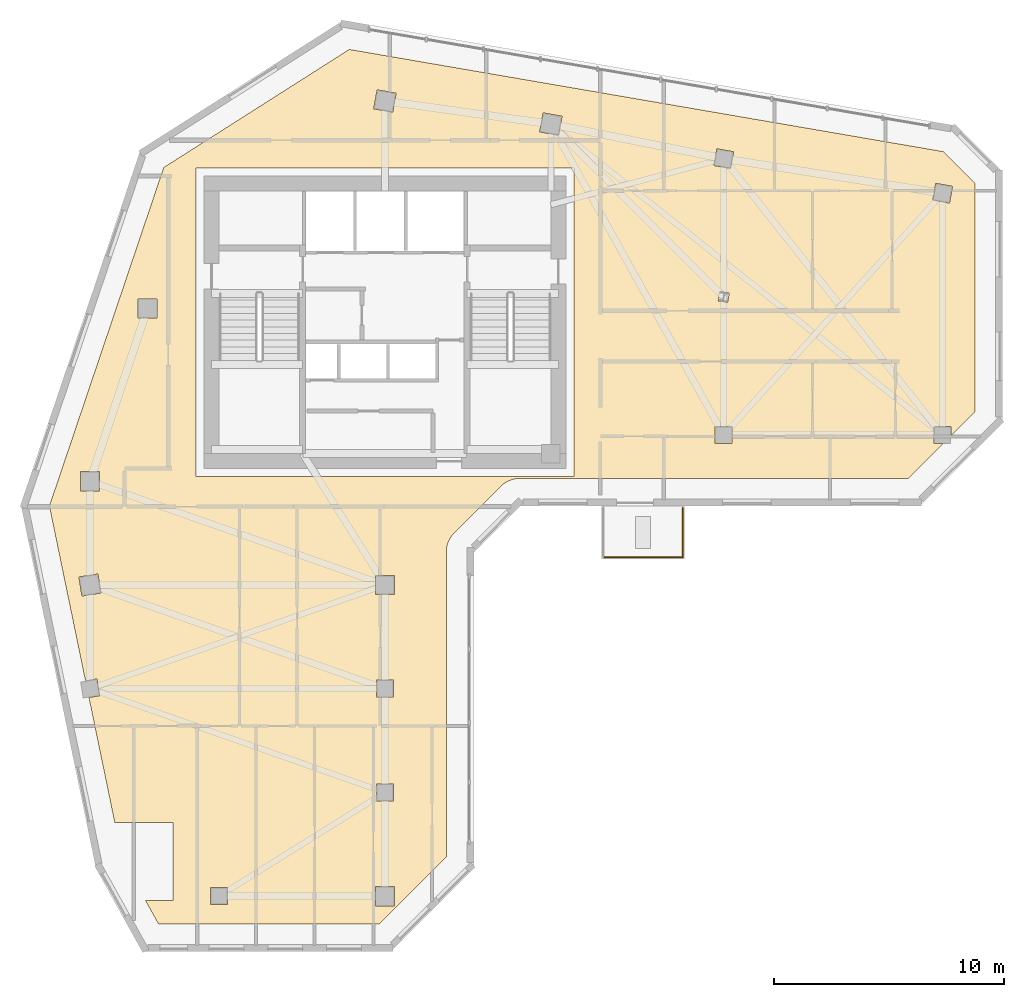
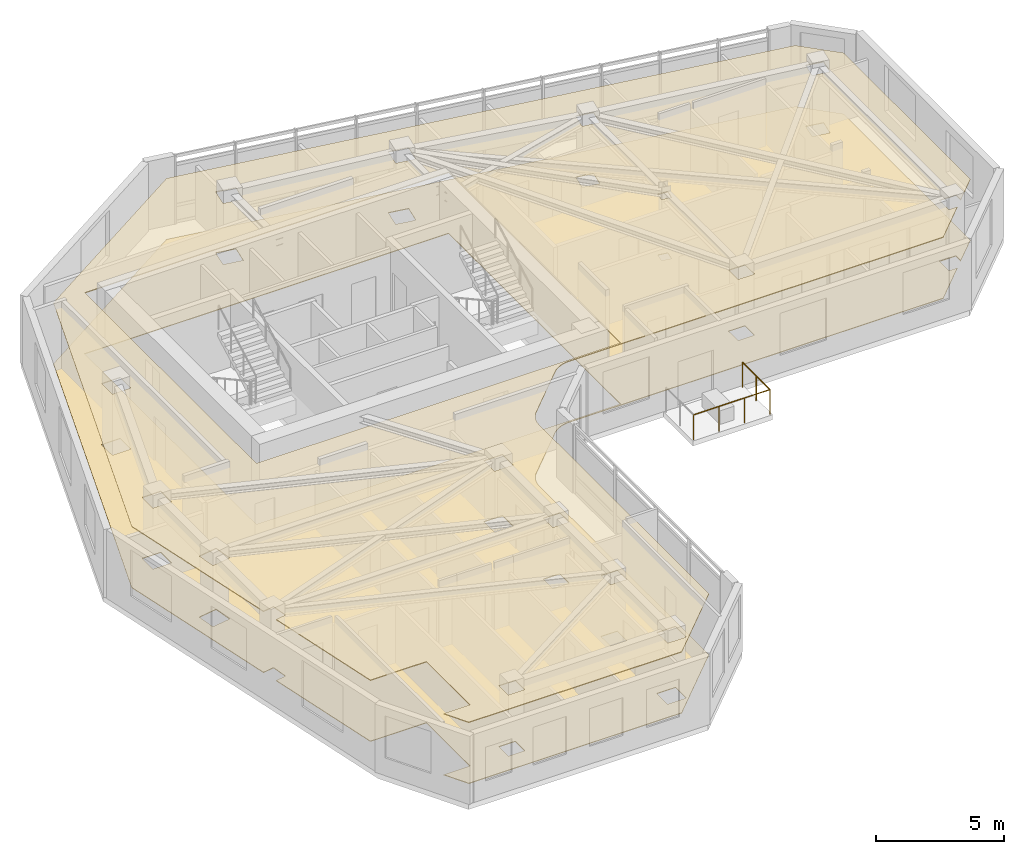
# One storey, part 10 of 11: 2 coverings, 2 railings.
"""IFC4 building model written with IfcOpenShell, lengths in metres."""

from ifc_helpers import new_model, si_unit, direction, frame, origin, origin_2d, place, context, subcontext, project, spatial, polyline, circle, outline, extrude, material, layer, layer_set, type_object, element, save


model = new_model("IFC4")

# Units and contexts
model_context = context("Model", 3, precision=1e-05, world=origin(), true_north=direction((0.0, 1.0)))
body_context = subcontext(model_context, "Body", "Model", "MODEL_VIEW")
ifc_project = project(units=[si_unit("LENGTHUNIT", "METRE"), si_unit("AREAUNIT", "SQUARE_METRE"), si_unit("VOLUMEUNIT", "CUBIC_METRE"), si_unit("PLANEANGLEUNIT", "RADIAN"), si_unit("MASSUNIT", "GRAM", prefix="KILO")], contexts=[model_context])

# Site, building, storey
site_placement = place(None, origin())
site = spatial("IfcSite", under=ifc_project, at=site_placement, CompositionType="ELEMENT")
building_placement = place(site_placement, origin())
building = spatial("IfcBuilding", under=site, at=building_placement, Name="Calvemar Wedge Station Tower", CompositionType="ELEMENT")
storey_placement = place(building_placement, frame((0.0, 0.0, 190.39990234375)))
storey = spatial("IfcBuildingStorey", under=building, at=storey_placement, Name="L47", CompositionType="ELEMENT", Elevation=190.39990234375)

# Coverings
ifc_material_1 = material(Name="Acoustic mineral fibre ceiling board")
ifc_layer_1 = layer(ifc_material_1, 0.0400390625)
ifc_layer_set_1 = layer_set([ifc_layer_1], Name="Acoustic mineral fibre ceiling board")
covering_type_1 = type_object("IfcCoveringType", Name="COV-CEIL-ACOUSTIC", PredefinedType="CEILING", material=ifc_layer_set_1)
covering_1_placement = place(storey_placement, frame((0.0, 0.0, 2.900146484375)))
element("IfcCovering", 1, at=covering_1_placement, inside=storey, type_object=covering_type_1, Name="Storey L47 Acoustic Suspended Ceiling", PredefinedType="CEILING", context=body_context, shape_type="SweptSolid", body=[
    extrude(outline(polyline([(26.8154296875, 30.7724609375), (28.8154296875, 32.7724609375), (28.902587890625, 32.8515625), (28.997314453125, 32.921875), (29.098388671875, 32.982421875), (29.204833984375, 33.03271484375), (29.315673828125, 33.072265625), (29.429931640625, 33.100830078125), (29.54638671875, 33.1181640625), (29.6640625, 33.1240234375), (46.5029296875, 33.1240234375), (48.0087890625, 34.6298828125), (47.6298828125, 34.6298828125), (47.6298828125, 35.3701171875), (48.3701171875, 35.3701171875), (48.3701171875, 34.9912109375), (49.39990234375, 36.02099609375), (49.39990234375, 45.927001953125), (48.02099609375, 47.305908203125), (22.25341796875, 51.73876953125), (14.201416015625, 46.614990234375), (9.240966796875, 31.92431640625), (10.806884765625, 24.34375), (11.306884765625, 24.423828125), (11.423828125, 23.693115234375), (10.956787109375, 23.618408203125), (12.076171875, 18.199951171875), (14.60009765625, 18.199951171875), (14.60009765625, 14.800048828125), (13.41455078125, 14.800048828125), (13.97021484375, 13.800048828125), (23.56689453125, 13.800048828125), (26.464111328125, 16.697021484375), (26.464111328125, 29.924072265625), (26.4697265625, 30.04150390625), (26.487060546875, 30.158203125), (26.515625, 30.272216796875), (26.555419921875, 30.38330078125), (26.605712890625, 30.48974609375), (26.666259765625, 30.5908203125), (26.736328125, 30.685302734375), (26.8154296875, 30.7724609375)]), holes=[polyline([(15.60009765625, 46.60009765625), (32.0, 46.60009765625), (32.0, 33.199951171875), (15.60009765625, 33.199951171875), (15.60009765625, 46.60009765625)]), polyline([(10.580078125, 32.580078125), (10.580078125, 33.419921875), (11.419921875, 33.419921875), (11.419921875, 32.580078125), (10.580078125, 32.580078125)]), polyline([(13.080078125, 40.919921875), (13.919921875, 40.919921875), (13.919921875, 40.080078125), (13.080078125, 40.080078125), (13.080078125, 40.919921875)]), polyline([(24.28759765625, 49.839111328125), (24.138916015625, 49.01220703125), (23.312255859375, 49.160888671875), (23.4609375, 49.98779296875), (24.28759765625, 49.839111328125)]), polyline([(31.339111328125, 48.01220703125), (30.51220703125, 48.160888671875), (30.660888671875, 48.98779296875), (31.48779296875, 48.839111328125), (31.339111328125, 48.01220703125)]), polyline([(38.0703125, 46.701416015625), (38.201416015625, 47.4296875), (38.9296875, 47.298583984375), (38.798583984375, 46.5703125), (38.0703125, 46.701416015625)]), polyline([(47.701416015625, 45.9296875), (48.4296875, 45.798583984375), (48.298583984375, 45.0703125), (47.5703125, 45.201416015625), (47.701416015625, 45.9296875)]), polyline([(38.8701171875, 35.3701171875), (38.8701171875, 34.6298828125), (38.1298828125, 34.6298828125), (38.1298828125, 35.3701171875), (38.8701171875, 35.3701171875)]), polyline([(38.259765625, 40.833984375), (38.332763671875, 41.239501953125), (38.740234375, 41.166015625), (38.667236328125, 40.760498046875), (38.259765625, 40.833984375)]), polyline([(11.348388671875, 28.981201171875), (11.481201171875, 28.151611328125), (10.651611328125, 28.018798828125), (10.518798828125, 28.848388671875), (11.348388671875, 28.981201171875)]), polyline([(24.219970703125, 28.080078125), (23.3798828125, 28.080078125), (23.3798828125, 28.919921875), (24.219970703125, 28.919921875), (24.219970703125, 28.080078125)]), polyline([(23.429931640625, 23.6298828125), (23.429931640625, 24.3701171875), (24.169921875, 24.3701171875), (24.169921875, 23.6298828125), (23.429931640625, 23.6298828125)]), polyline([(23.429931640625, 19.8701171875), (24.169921875, 19.8701171875), (24.169921875, 19.1298828125), (23.429931640625, 19.1298828125), (23.429931640625, 19.8701171875)]), polyline([(24.219970703125, 15.419921875), (24.219970703125, 14.580078125), (23.3798828125, 14.580078125), (23.3798828125, 15.419921875), (24.219970703125, 15.419921875)]), polyline([(16.969970703125, 14.6298828125), (16.22998046875, 14.6298828125), (16.22998046875, 15.3701171875), (16.969970703125, 15.3701171875), (16.969970703125, 14.6298828125)])]), origin(), (0.0, 0.0, 1.0), 0.0400390625),
])
ifc_material_2 = material(Name="Honed coastal granite stone tile", Category="masonry")
ifc_layer_2 = layer(ifc_material_2, 0.030029296875)
ifc_layer_set_2 = layer_set([ifc_layer_2], Name="Honed coastal granite stone tile")
covering_type_2 = type_object("IfcCoveringType", Name="COV-FLR-STONE", PredefinedType="FLOORING", material=ifc_layer_set_2)
covering_2_placement = place(storey_placement, origin())
element("IfcCovering", 2, at=covering_2_placement, inside=storey, type_object=covering_type_2, Name="Storey L47 Architectural Floor Finish", PredefinedType="FLOORING", context=body_context, shape_type="SweptSolid", body=[
    extrude(outline(polyline([(26.8154296875, 30.7724609375), (28.8154296875, 32.7724609375), (28.902587890625, 32.8515625), (28.997314453125, 32.921875), (29.098388671875, 32.982421875), (29.204833984375, 33.03271484375), (29.315673828125, 33.072265625), (29.429931640625, 33.100830078125), (29.54638671875, 33.1181640625), (29.6640625, 33.1240234375), (46.5029296875, 33.1240234375), (48.0087890625, 34.6298828125), (47.6298828125, 34.6298828125), (47.6298828125, 35.3701171875), (48.3701171875, 35.3701171875), (48.3701171875, 34.9912109375), (49.39990234375, 36.02099609375), (49.39990234375, 45.927001953125), (48.02099609375, 47.305908203125), (22.25341796875, 51.73876953125), (14.201416015625, 46.614990234375), (9.240966796875, 31.92431640625), (10.806884765625, 24.34375), (11.306884765625, 24.423828125), (11.423828125, 23.693115234375), (10.956787109375, 23.618408203125), (12.076171875, 18.199951171875), (14.60009765625, 18.199951171875), (14.60009765625, 14.800048828125), (13.41455078125, 14.800048828125), (13.97021484375, 13.800048828125), (23.56689453125, 13.800048828125), (26.464111328125, 16.697021484375), (26.464111328125, 29.924072265625), (26.4697265625, 30.04150390625), (26.487060546875, 30.158203125), (26.515625, 30.272216796875), (26.555419921875, 30.38330078125), (26.605712890625, 30.48974609375), (26.666259765625, 30.5908203125), (26.736328125, 30.685302734375), (26.8154296875, 30.7724609375)]), holes=[polyline([(15.60009765625, 46.60009765625), (32.0, 46.60009765625), (32.0, 33.199951171875), (15.60009765625, 33.199951171875), (15.60009765625, 46.60009765625)]), polyline([(10.580078125, 32.580078125), (10.580078125, 33.419921875), (11.419921875, 33.419921875), (11.419921875, 32.580078125), (10.580078125, 32.580078125)]), polyline([(13.080078125, 40.919921875), (13.919921875, 40.919921875), (13.919921875, 40.080078125), (13.080078125, 40.080078125), (13.080078125, 40.919921875)]), polyline([(24.28759765625, 49.839111328125), (24.138916015625, 49.01220703125), (23.312255859375, 49.160888671875), (23.4609375, 49.98779296875), (24.28759765625, 49.839111328125)]), polyline([(31.339111328125, 48.01220703125), (30.51220703125, 48.160888671875), (30.660888671875, 48.98779296875), (31.48779296875, 48.839111328125), (31.339111328125, 48.01220703125)]), polyline([(38.0703125, 46.701416015625), (38.201416015625, 47.4296875), (38.9296875, 47.298583984375), (38.798583984375, 46.5703125), (38.0703125, 46.701416015625)]), polyline([(47.701416015625, 45.9296875), (48.4296875, 45.798583984375), (48.298583984375, 45.0703125), (47.5703125, 45.201416015625), (47.701416015625, 45.9296875)]), polyline([(38.8701171875, 35.3701171875), (38.8701171875, 34.6298828125), (38.1298828125, 34.6298828125), (38.1298828125, 35.3701171875), (38.8701171875, 35.3701171875)]), polyline([(38.259765625, 40.833984375), (38.332763671875, 41.239501953125), (38.740234375, 41.166015625), (38.667236328125, 40.760498046875), (38.259765625, 40.833984375)]), polyline([(11.348388671875, 28.981201171875), (11.481201171875, 28.151611328125), (10.651611328125, 28.018798828125), (10.518798828125, 28.848388671875), (11.348388671875, 28.981201171875)]), polyline([(24.219970703125, 28.080078125), (23.3798828125, 28.080078125), (23.3798828125, 28.919921875), (24.219970703125, 28.919921875), (24.219970703125, 28.080078125)]), polyline([(23.429931640625, 23.6298828125), (23.429931640625, 24.3701171875), (24.169921875, 24.3701171875), (24.169921875, 23.6298828125), (23.429931640625, 23.6298828125)]), polyline([(23.429931640625, 19.8701171875), (24.169921875, 19.8701171875), (24.169921875, 19.1298828125), (23.429931640625, 19.1298828125), (23.429931640625, 19.8701171875)]), polyline([(24.219970703125, 15.419921875), (24.219970703125, 14.580078125), (23.3798828125, 14.580078125), (23.3798828125, 15.419921875), (24.219970703125, 15.419921875)]), polyline([(16.969970703125, 14.6298828125), (16.22998046875, 14.6298828125), (16.22998046875, 15.3701171875), (16.969970703125, 15.3701171875), (16.969970703125, 14.6298828125)])]), origin(), (0.0, 0.0, 1.0), 0.030029296875),
])

# Railings
ifc_material_3 = material(Name="Stainless steel AISI 316L", Category="steel")
railing_type = type_object("IfcRailingType", Name="GRD-TERR-1200", PredefinedType="GUARDRAIL", material=ifc_material_3)
railing_1_placement = place(storey_placement, frame((36.719970703125, 31.843994140625, 0.0)))
element("IfcRailing", 3, at=railing_1_placement, inside=storey, type_object=railing_type, Name="Storey L47 Spiral Terrace Guard 2", PredefinedType="GUARDRAIL", context=body_context, shape_type="SweptSolid", body=[
    extrude(circle(Radius=0.02392578125, at=origin_2d()), frame((0.0, 0.0, 1.17578125), z_axis=(0.0, -1.0, 0.0), x_axis=(1.0, 0.0, 0.0)), (0.0, 0.0, 1.0), 2.139892578125),
    extrude(circle(Radius=0.02099609375, at=origin_2d()), origin(), (0.0, 0.0, 1.0), 1.15185546875),
    extrude(circle(Radius=0.02099609375, at=origin_2d()), frame((0.0, -1.06982421875, 0.0)), (0.0, 0.0, 1.0), 1.15185546875),
    extrude(circle(Radius=0.02099609375, at=origin_2d()), frame((0.0, -2.139892578125, 0.0)), (0.0, 0.0, 1.0), 1.15185546875),
])
railing_2_placement = place(storey_placement, frame((36.719970703125, 29.7041015625, 0.0)))
element("IfcRailing", 4, at=railing_2_placement, inside=storey, type_object=railing_type, Name="Storey L47 Spiral Terrace Guard 3", PredefinedType="GUARDRAIL", context=body_context, shape_type="SweptSolid", body=[
    extrude(circle(Radius=0.02392578125, at=origin_2d()), frame((0.0, 0.0, 1.17578125), z_axis=(-1.0, 0.0, 0.0), x_axis=(0.0, -1.0, 0.0)), (0.0, 0.0, 1.0), 3.43994140625),
    extrude(circle(Radius=0.02099609375, at=origin_2d()), origin(), (0.0, 0.0, 1.0), 1.15185546875),
    extrude(circle(Radius=0.02099609375, at=origin_2d()), frame((-1.146728515625, 0.0, 0.0)), (0.0, 0.0, 1.0), 1.15185546875),
    extrude(circle(Radius=0.02099609375, at=origin_2d()), frame((-2.293212890625, 0.0, 0.0)), (0.0, 0.0, 1.0), 1.15185546875),
    extrude(circle(Radius=0.02099609375, at=origin_2d()), frame((-3.43994140625, 0.0, 0.0)), (0.0, 0.0, 1.0), 1.15185546875),
])

save(model, "model.ifc")
